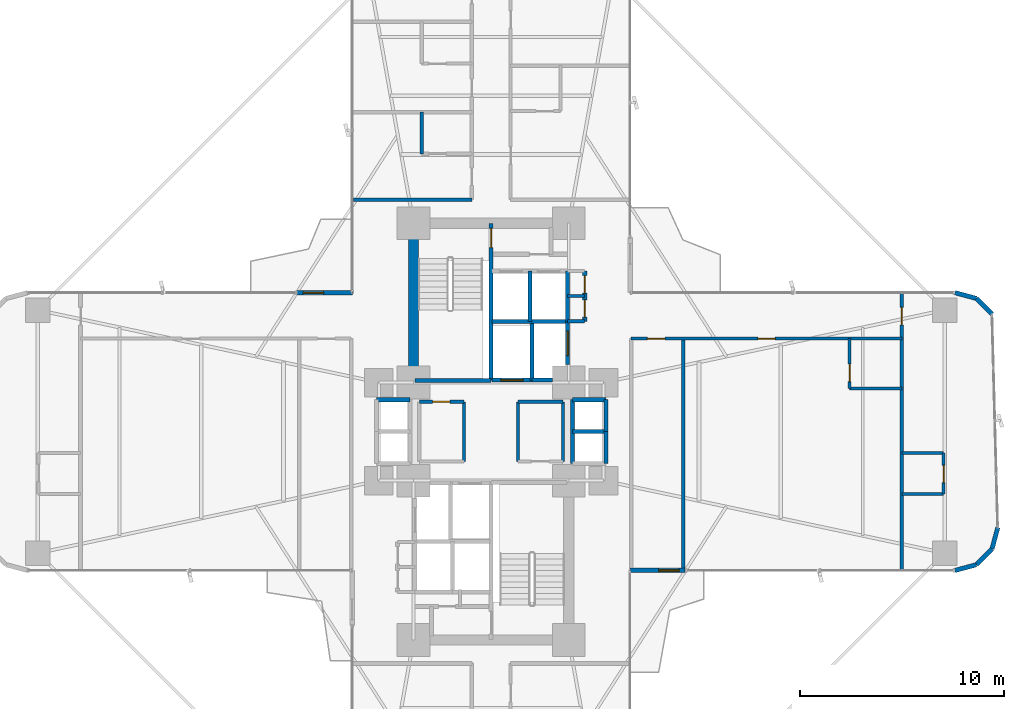
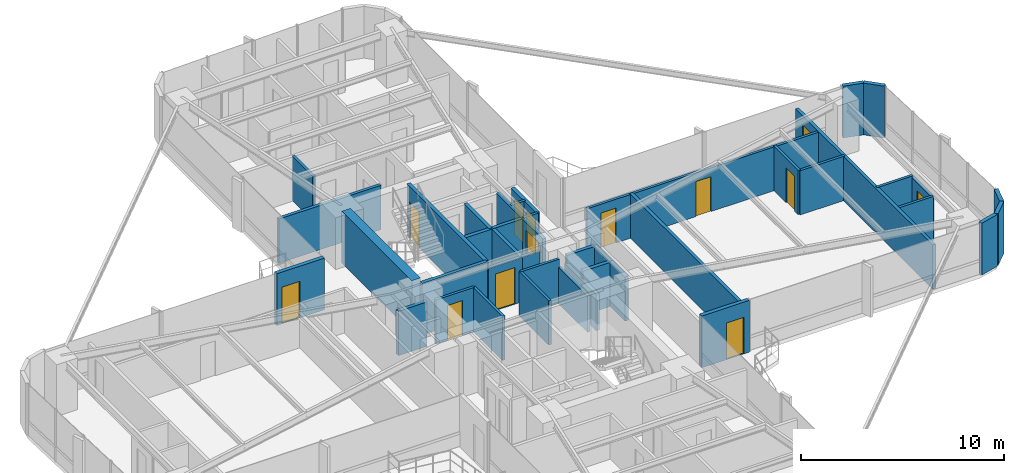
# One storey, part 23 of 26: 41 walls, 13 doors, 13 openings.
"""IFC4 building model written with IfcOpenShell, lengths in metres."""

from ifc_helpers import new_model, si_unit, direction, frame, frame_2d, origin, origin_2d, place, context, subcontext, project, spatial, rectangle, extrude, source, transform, mapped, material, layer, layer_set, type_object, element, fill, save


model = new_model("IFC4")

# Units and contexts
model_context = context("Model", 3, precision=1e-05, world=origin(), true_north=direction((0.0, 1.0)))
body_context = subcontext(model_context, "Body", "Model", "MODEL_VIEW")
ifc_project = project(units=[si_unit("LENGTHUNIT", "METRE"), si_unit("AREAUNIT", "SQUARE_METRE"), si_unit("VOLUMEUNIT", "CUBIC_METRE"), si_unit("PLANEANGLEUNIT", "RADIAN"), si_unit("MASSUNIT", "GRAM", prefix="KILO")], contexts=[model_context])

# Site, building, storey
site_placement = place(None, origin())
site = spatial("IfcSite", under=ifc_project, at=site_placement, CompositionType="ELEMENT")
building_placement = place(site_placement, origin())
building = spatial("IfcBuilding", under=site, at=building_placement, Name="Sahyath Konkavel Grand Hotel", CompositionType="ELEMENT")
storey_placement = place(building_placement, frame((0.0, 0.0, 61.10009765625)))
storey = spatial("IfcBuildingStorey", under=building, at=storey_placement, Name="L16", CompositionType="ELEMENT", Elevation=61.10009765625)

# Wall
ifc_material_1 = material(Name="Concrete C70/85", Category="concrete")
ifc_layer_1 = layer(ifc_material_1, 0.5)
ifc_layer_set_1 = layer_set([ifc_layer_1], Name="Concrete C70/85")
wall_type_1 = type_object("IfcWallType", Name="CWALL-500", PredefinedType="SHEAR", material=ifc_layer_set_1)
wall_1_placement = place(storey_placement, frame((-3.800048828125, 2.85009765625, 0.0), z_axis=(0.0, 0.0, 1.0), x_axis=(0.0, 1.0, 0.0)))
element("IfcWall", 1, at=wall_1_placement, inside=storey, type_object=wall_type_1, Name="L16 North Core Shear Wall W", PredefinedType="SHEAR", context=body_context, shape_type="SweptSolid", body=[
    extrude(rectangle(XDim=6.89990234375, YDim=0.5, at=frame_2d((3.449951171875, 0.0))), origin(), (0.0, 0.0, 1.0), 3.10986328125),
])

# Wall, opening, door
ifc_material_2 = material(Name="Warm Buff Sandstone Insulated Concrete C40/50", Category="masonry")
ifc_layer_2 = layer(ifc_material_2, 0.219970703125)
ifc_layer_set_2 = layer_set([ifc_layer_2], Name="Warm Buff Sandstone Insulated Concrete C40/50")
wall_type_2 = type_object("IfcWallType", Name="WLL-BALC-THRESH", PredefinedType="STANDARD", material=ifc_layer_set_2)
wall_2_placement = place(storey_placement, frame((6.800048828125, -6.800048828125, 0.0), z_axis=(0.0, 0.0, 1.0), x_axis=(1.0, 0.0, 0.0)))
wall_2 = element("IfcWall", 2, at=wall_2_placement, inside=storey, type_object=wall_type_2, Name="L16 Winter-Garden Threshold Wall 0", PredefinedType="STANDARD", context=body_context, shape_type="SweptSolid", body=[
    extrude(rectangle(XDim=2.699951171875, YDim=0.219970703125, at=frame_2d((1.35009765625, 0.0))), origin(), (0.0, 0.0, 1.0), 3.10986328125),
])
opening_1_placement = place(wall_2_placement, frame((1.39990234375, 0.0, 0.0)))
opening_1 = element("IfcOpeningElement", 3, at=opening_1_placement, cuts=wall_2, Name="Opening D-TR1", PredefinedType="OPENING", context=body_context, shape_type="SweptSolid", body=[
    extrude(rectangle(XDim=1.0, YDim=2.199951171875, at=frame_2d((0.5, 1.10009765625))), frame((0.0, 0.1201171875, 0.0), z_axis=(0.0, -1.0, 0.0), x_axis=(1.0, 0.0, 0.0)), (0.0, 0.0, 1.0), 0.239990234375),
])
ifc_material_3 = material(Name="Anodised Bronze Aluminium & Low-E Glazing", Category="aluminium")
door_type_1 = type_object("IfcDoorType", Name="DR-TERRACE-1000", OperationType="NOTDEFINED", PredefinedType="DOOR", material=ifc_material_3)
shared_shape_1 = source(origin(), body_context, "Body", "SweptSolid", [
    extrude(rectangle(XDim=1.0, YDim=0.050048828125, at=origin_2d()), origin(), (0.0, 0.0, 1.0), 2.199951171875),
])
door_1_placement = place(opening_1_placement, frame((0.5, 0.0, 0.0)))
door_1 = element("IfcDoor", 4, at=door_1_placement, inside=storey, type_object=door_type_1, Name="L16 Winter-Garden Terrace Door 0", OperationType="SINGLE_SWING_LEFT", OverallHeight=2.199951171875, OverallWidth=1.0, PredefinedType="DOOR", context=body_context, shape_type="MappedRepresentation", body=[
    mapped(shared_shape_1, transform((0.0, 0.0, 0.0), scale=1.0)),
])
fill(opening_1, door_1)

# Walls
for number, where, z_axis, x_axis, name in (
    (5, (22.699951171875, -6.800048828125, 0.0), (0.0, 0.0, 1.0), (0.965951058412, 0.25872485917, 0.0), "L16 Rounded Corner Sandstone Pier 1"),
    (6, (23.75, -6.518798828125, 0.0), (0.0, 0.0, 1.0), (0.707106781187, 0.707106781187, 0.0), "L16 Rounded Corner Sandstone Pier 2"),
    (7, (24.518798828125, -5.75, 0.0), (0.0, 0.0, 1.0), (0.25872485917, 0.965951058412, 0.0), "L16 Rounded Corner Sandstone Pier 3"),
    (8, (24.518798828125, 5.75, 0.0), (0.0, 0.0, 1.0), (-0.707106781187, 0.707106781187, 0.0), "L16 Rounded Corner Sandstone Pier 5"),
    (9, (23.75, 6.518798828125, 0.0), (0.0, 0.0, 1.0), (-0.965951058412, 0.25872485917, 0.0), "L16 Rounded Corner Sandstone Pier 6"),
):
    element("IfcWall", number, at=place(storey_placement, frame(where, z_axis=z_axis, x_axis=x_axis)), inside=storey, type_object=wall_type_2, Name=name, PredefinedType="STANDARD", context=body_context, shape_type="SweptSolid", body=[
        extrude(rectangle(XDim=1.087158203125, YDim=0.219970703125, at=frame_2d((0.54345703125, 0.0))), origin(), (0.0, 0.0, 1.0), 3.10986328125),
    ])

# Wall, opening, door
wall_3_placement = place(storey_placement, frame((-6.800048828125, 6.800048828125, 0.0), z_axis=(0.0, 0.0, 1.0), x_axis=(-1.0, 0.0, 0.0)))
wall_3 = element("IfcWall", 10, at=wall_3_placement, inside=storey, type_object=wall_type_2, Name="L16 Winter-Garden Threshold Wall 16", PredefinedType="STANDARD", context=body_context, shape_type="SweptSolid", body=[
    extrude(rectangle(XDim=2.699951171875, YDim=0.219970703125, at=frame_2d((1.35009765625, 0.0))), origin(), (0.0, 0.0, 1.0), 3.10986328125),
])
opening_2_placement = place(wall_3_placement, frame((1.39990234375, 0.0, 0.0)))
opening_2 = element("IfcOpeningElement", 11, at=opening_2_placement, cuts=wall_3, Name="Opening D-TR1", PredefinedType="OPENING", context=body_context, shape_type="SweptSolid", body=[
    extrude(rectangle(XDim=1.0, YDim=2.199951171875, at=frame_2d((0.5, 1.10009765625))), frame((0.0, 0.1201171875, 0.0), z_axis=(0.0, -1.0, 0.0), x_axis=(1.0, 0.0, 0.0)), (0.0, 0.0, 1.0), 0.239990234375),
])
door_2_placement = place(opening_2_placement, frame((0.5, 0.0, 0.0)))
door_2 = element("IfcDoor", 12, at=door_2_placement, inside=storey, type_object=door_type_1, Name="L16 Winter-Garden Terrace Door 16", OperationType="SINGLE_SWING_LEFT", OverallHeight=2.199951171875, OverallWidth=1.0, PredefinedType="DOOR", context=body_context, shape_type="MappedRepresentation", body=[
    mapped(shared_shape_1, transform((0.0, 0.0, 0.0), scale=1.0)),
])
fill(opening_2, door_2)

ifc_material_4 = material(Name="Concrete C40/50", Category="concrete")
ifc_layer_3 = layer(ifc_material_4, 0.199951171875)
ifc_layer_set_3 = layer_set([ifc_layer_3], Name="Concrete C40/50")
wall_type_3 = type_object("IfcWallType", Name="WLL-CORE-200", PredefinedType="SOLIDWALL", material=ifc_layer_set_3)
wall_4_placement = place(storey_placement, frame((0.0, 2.5, 0.0), z_axis=(0.0, 0.0, 1.0), x_axis=(0.0, 1.0, 0.0)))
wall_4 = element("IfcWall", 13, at=wall_4_placement, inside=storey, type_object=wall_type_3, Name="L16 Stair ST-1 Shaft Wall E", PredefinedType="SOLIDWALL", context=body_context, shape_type="SweptSolid", body=[
    extrude(rectangle(XDim=7.679931640625, YDim=0.199951171875, at=frame_2d((3.83984375, 0.0))), origin(), (0.0, 0.0, 1.0), 3.10986328125),
])
opening_3_placement = place(wall_4_placement, frame((6.5, 0.0, 0.0)))
opening_3 = element("IfcOpeningElement", 14, at=opening_3_placement, cuts=wall_4, Name="Opening D-F12C", PredefinedType="OPENING", context=body_context, shape_type="SweptSolid", body=[
    extrude(rectangle(XDim=0.949951171875, YDim=2.14990234375, at=frame_2d((0.47509765625, 1.074951171875))), frame((0.0, 0.10986328125, 0.0), z_axis=(0.0, -1.0, 0.0), x_axis=(1.0, 0.0, 0.0)), (0.0, 0.0, 1.0), 0.219970703125),
])
ifc_material_5 = material(Name="Steel E350 Plant Fire Door", Category="steel")
door_type_2 = type_object("IfcDoorType", Name="DR-FD120-950", OperationType="NOTDEFINED", PredefinedType="DOOR", material=ifc_material_5)
shared_shape_2 = source(origin(), body_context, "Body", "SweptSolid", [
    extrude(rectangle(XDim=0.949951171875, YDim=0.050048828125, at=origin_2d()), origin(), (0.0, 0.0, 1.0), 2.14990234375),
])
door_3_placement = place(opening_3_placement, frame((0.47509765625, 0.0, 0.0)))
door_3 = element("IfcDoor", 15, at=door_3_placement, inside=storey, type_object=door_type_2, Name="L16 Stair ST-1 Fire Door", OperationType="SINGLE_SWING_RIGHT", OverallHeight=2.14990234375, OverallWidth=0.949951171875, PredefinedType="DOOR", context=body_context, shape_type="MappedRepresentation", body=[
    mapped(shared_shape_2, transform((0.0, 0.0, 0.0), scale=1.0)),
])
fill(opening_3, door_3)

# Walls
wall_5_placement = place(storey_placement, frame((-3.719970703125, 2.5, 0.0), z_axis=(0.0, 0.0, 1.0), x_axis=(1.0, 0.0, 0.0)))
element("IfcWall", 16, at=wall_5_placement, inside=storey, type_object=wall_type_3, Name="L16 Stair ST-1 Shaft Wall S", PredefinedType="SOLIDWALL", context=body_context, shape_type="SweptSolid", body=[
    extrude(rectangle(XDim=3.719970703125, YDim=0.199951171875, at=frame_2d((1.85986328125, 0.0))), origin(), (0.0, 0.0, 1.0), 3.10986328125),
])
wall_6_placement = place(storey_placement, frame((2.0, 2.5, 0.0), z_axis=(0.0, 0.0, 1.0), x_axis=(0.0, 1.0, 0.0)))
element("IfcWall", 17, at=wall_6_placement, inside=storey, type_object=wall_type_3, Name="L16 Partition SH-FFL1-E", PredefinedType="SOLIDWALL", context=body_context, shape_type="SweptSolid", body=[
    extrude(rectangle(XDim=2.780029296875, YDim=0.199951171875, at=frame_2d((1.39013671875, 0.0))), origin(), (0.0, 0.0, 1.0), 2.659912109375),
])

# Wall, opening, door
wall_7_placement = place(storey_placement, frame((0.050048828125, 2.52001953125, 0.0), z_axis=(0.0, 0.0, 1.0), x_axis=(1.0, 0.0, 0.0)))
wall_7 = element("IfcWall", 18, at=wall_7_placement, inside=storey, type_object=wall_type_3, Name="L16 Partition SH-FFL1-S", PredefinedType="SOLIDWALL", context=body_context, shape_type="SweptSolid", body=[
    extrude(rectangle(XDim=1.949951171875, YDim=0.199951171875, at=frame_2d((0.97509765625, 0.0))), origin(), (0.0, 0.0, 1.0), 2.659912109375),
])
opening_4_placement = place(wall_7_placement, frame((0.419921875, 0.0, 0.0)))
opening_4 = element("IfcOpeningElement", 19, at=opening_4_placement, cuts=wall_7, Name="Opening LD-11", PredefinedType="OPENING", context=body_context, shape_type="SweptSolid", body=[
    extrude(rectangle(XDim=1.10009765625, YDim=2.199951171875, at=frame_2d((0.550048828125, 1.10009765625))), frame((0.0, 0.10986328125, 0.0), z_axis=(0.0, -1.0, 0.0), x_axis=(1.0, 0.0, 0.0)), (0.0, 0.0, 1.0), 0.219970703125),
])
ifc_material_6 = material(Name="Bronze Lift Landing Door 1100")
door_type_3 = type_object("IfcDoorType", Name="DR-LIFT-1100", OperationType="DOUBLE_DOOR_SLIDING", PredefinedType="DOOR", material=ifc_material_6)
shared_shape_3 = source(origin(), body_context, "Body", "SweptSolid", [
    extrude(rectangle(XDim=1.10009765625, YDim=0.050048828125, at=origin_2d()), origin(), (0.0, 0.0, 1.0), 2.199951171875),
])
door_4_placement = place(opening_4_placement, frame((0.550048828125, 0.0, 0.0)))
door_4 = element("IfcDoor", 20, at=door_4_placement, inside=storey, type_object=door_type_3, Name="L16 Lift FFL-1 Landing Door", OperationType="DOUBLE_DOOR_SLIDING", OverallHeight=2.199951171875, OverallWidth=1.10009765625, PredefinedType="DOOR", context=body_context, shape_type="MappedRepresentation", body=[
    mapped(shared_shape_3, transform((0.0, 0.0, 0.0), scale=1.0)),
])
fill(opening_4, door_4)

# Wall
wall_8_placement = place(storey_placement, frame((2.0, 2.52001953125, 0.0), z_axis=(0.0, 0.0, 1.0), x_axis=(1.0, 0.0, 0.0)))
element("IfcWall", 21, at=wall_8_placement, inside=storey, type_object=wall_type_3, Name="L16 Partition SH-SVL1-S", PredefinedType="SOLIDWALL", context=body_context, shape_type="SweptSolid", body=[
    extrude(rectangle(XDim=1.0, YDim=0.199951171875, at=frame_2d((0.5, 0.0))), origin(), (0.0, 0.0, 1.0), 2.659912109375),
])

# Wall, opening, door
wall_9_placement = place(storey_placement, frame((3.739990234375, 3.280029296875, 0.0), z_axis=(0.0, 0.0, 1.0), x_axis=(0.0, 1.0, 0.0)))
wall_9 = element("IfcWall", 22, at=wall_9_placement, inside=storey, type_object=wall_type_3, Name="L16 Partition SH-SVL1-E", PredefinedType="SOLIDWALL", context=body_context, shape_type="SweptSolid", body=[
    extrude(rectangle(XDim=2.080078125, YDim=0.199951171875, at=frame_2d((1.0400390625, 0.0))), origin(), (0.0, 0.0, 1.0), 2.659912109375),
])
opening_5_placement = place(wall_9_placement, frame((0.43994140625, 0.0, 0.0)))
opening_5 = element("IfcOpeningElement", 23, at=opening_5_placement, cuts=wall_9, Name="Opening LD-12", PredefinedType="OPENING", context=body_context, shape_type="SweptSolid", body=[
    extrude(rectangle(XDim=1.199951171875, YDim=2.199951171875, at=frame_2d((0.60009765625, 1.10009765625))), frame((0.0, 0.10986328125, 0.0), z_axis=(0.0, -1.0, 0.0), x_axis=(1.0, 0.0, 0.0)), (0.0, 0.0, 1.0), 0.219970703125),
])
ifc_material_7 = material(Name="Stainless Steel Lift Landing Door 1200", Category="steel")
door_type_4 = type_object("IfcDoorType", Name="DR-LIFT-1200", OperationType="DOUBLE_DOOR_SLIDING", PredefinedType="DOOR", material=ifc_material_7)
shared_shape_4 = source(origin(), body_context, "Body", "SweptSolid", [
    extrude(rectangle(XDim=1.199951171875, YDim=0.050048828125, at=origin_2d()), origin(), (0.0, 0.0, 1.0), 2.199951171875),
])
door_5_placement = place(opening_5_placement, frame((0.60009765625, 0.0, 0.0)))
door_5 = element("IfcDoor", 24, at=door_5_placement, inside=storey, type_object=door_type_4, Name="L16 Service Lift SVL-1 Landing Door", OperationType="DOUBLE_DOOR_SLIDING", OverallHeight=2.199951171875, OverallWidth=1.199951171875, PredefinedType="DOOR", context=body_context, shape_type="MappedRepresentation", body=[
    mapped(shared_shape_4, transform((0.0, 0.0, 0.0), scale=1.0)),
])
fill(opening_5, door_5)

# Walls
wall_10_placement = place(storey_placement, frame((0.050048828125, 5.3798828125, 0.0), z_axis=(0.0, 0.0, 1.0), x_axis=(1.0, 0.0, 0.0)))
element("IfcWall", 25, at=wall_10_placement, inside=storey, type_object=wall_type_3, Name="L16 Partition SH-PL12-S", PredefinedType="SOLIDWALL", context=body_context, shape_type="SweptSolid", body=[
    extrude(rectangle(XDim=3.68994140625, YDim=0.199951171875, at=frame_2d((1.844970703125, 0.0))), origin(), (0.0, 0.0, 1.0), 2.659912109375),
])
for number, where, z_axis, x_axis, name in (
    (26, (1.89990234375, 5.3798828125, 0.0), (0.0, 0.0, 1.0), (0.0, 1.0, 0.0), "L16 Partition SH-PL12-M"),
    (27, (3.739990234375, 5.3798828125, 0.0), (0.0, 0.0, 1.0), (0.0, 1.0, 0.0), "L16 Partition SH-PL2-E"),
):
    element("IfcWall", number, at=place(storey_placement, frame(where, z_axis=z_axis, x_axis=x_axis)), inside=storey, type_object=wall_type_3, Name=name, PredefinedType="SOLIDWALL", context=body_context, shape_type="SweptSolid", body=[
        extrude(rectangle(XDim=2.480224609375, YDim=0.199951171875, at=frame_2d((1.240234375, 0.0))), origin(), (0.0, 0.0, 1.0), 2.659912109375),
    ])
wall_11_placement = place(storey_placement, frame((3.97998046875, -1.56005859375, 0.0), z_axis=(0.0, 0.0, 1.0), x_axis=(0.0, 1.0, 0.0)))
element("IfcWall", 28, at=wall_11_placement, inside=storey, type_object=wall_type_3, Name="L16 Partition SH-PL56-W", PredefinedType="SOLIDWALL", context=body_context, shape_type="SweptSolid", body=[
    extrude(rectangle(XDim=3.1201171875, YDim=0.199951171875, at=frame_2d((1.56005859375, 0.0))), origin(), (0.0, 0.0, 1.0), 2.179931640625),
])
for number, where, z_axis, x_axis, name in (
    (29, (3.97998046875, 1.56005859375, 0.0), (0.0, 0.0, 1.0), (1.0, 0.0, 0.0), "L16 Partition SH-PL56-N"),
    (30, (3.97998046875, 0.0, 0.0), (0.0, 0.0, 1.0), (1.0, 0.0, 0.0), "L16 Partition SH-PL56-M"),
):
    element("IfcWall", number, at=place(storey_placement, frame(where, z_axis=z_axis, x_axis=x_axis)), inside=storey, type_object=wall_type_3, Name=name, PredefinedType="SOLIDWALL", context=body_context, shape_type="SweptSolid", body=[
        extrude(rectangle(XDim=1.64013671875, YDim=0.199951171875, at=frame_2d((0.820068359375, 0.0))), origin(), (0.0, 0.0, 1.0), 2.659912109375),
    ])
for number, where, z_axis, x_axis, name in (
    (31, (5.6201171875, 0.0, 0.0), (0.0, 0.0, 1.0), (0.0, 1.0, 0.0), "L16 Partition SH-PL5-E"),
    (32, (5.6201171875, -1.56005859375, 0.0), (0.0, 0.0, 1.0), (0.0, 1.0, 0.0), "L16 Partition SH-PL6-E"),
):
    element("IfcWall", number, at=place(storey_placement, frame(where, z_axis=z_axis, x_axis=x_axis)), inside=storey, type_object=wall_type_3, Name=name, PredefinedType="SOLIDWALL", context=body_context, shape_type="SweptSolid", body=[
        extrude(rectangle(XDim=1.56005859375, YDim=0.199951171875, at=frame_2d((0.780029296875, 0.0))), origin(), (0.0, 0.0, 1.0), 2.659912109375),
    ])
wall_12_placement = place(storey_placement, frame((-5.6201171875, 1.56005859375, 0.0), z_axis=(0.0, 0.0, 1.0), x_axis=(1.0, 0.0, 0.0)))
element("IfcWall", 33, at=wall_12_placement, inside=storey, type_object=wall_type_3, Name="L16 Partition SH-SL12-N", PredefinedType="SOLIDWALL", context=body_context, shape_type="SweptSolid", body=[
    extrude(rectangle(XDim=1.64013671875, YDim=0.199951171875, at=frame_2d((0.820068359375, 0.0))), origin(), (0.0, 0.0, 1.0), 2.659912109375),
])

# Wall, openings, doors
wall_13_placement = place(storey_placement, frame((4.580078125, 5.39990234375, 0.0), z_axis=(0.0, 0.0, 1.0), x_axis=(0.0, 1.0, 0.0)))
wall_13 = element("IfcWall", 34, at=wall_13_placement, inside=storey, type_object=wall_type_3, Name="L16 Partition NC-FLK-E", PredefinedType="SOLIDWALL", context=body_context, shape_type="SweptSolid", body=[
    extrude(rectangle(XDim=2.460205078125, YDim=0.199951171875, at=frame_2d((1.22998046875, 0.0))), origin(), (0.0, 0.0, 1.0), 2.659912109375),
])
opening_6_placement = place(wall_13_placement, frame((0.199951171875, 0.0, 0.0)))
opening_6 = element("IfcOpeningElement", 35, at=opening_6_placement, cuts=wall_13, Name="Opening D-F06D", PredefinedType="OPENING", context=body_context, shape_type="SweptSolid", body=[
    extrude(rectangle(XDim=0.85009765625, YDim=2.10009765625, at=frame_2d((0.425048828125, 1.050048828125))), frame((0.0, 0.10986328125, 0.0), z_axis=(0.0, -1.0, 0.0), x_axis=(1.0, 0.0, 0.0)), (0.0, 0.0, 1.0), 0.219970703125),
])
opening_7_placement = place(wall_13_placement, frame((1.3798828125, 0.0, 0.0)))
opening_7 = element("IfcOpeningElement", 36, at=opening_7_placement, cuts=wall_13, Name="Opening D-F06D", PredefinedType="OPENING", context=body_context, shape_type="SweptSolid", body=[
    extrude(rectangle(XDim=0.85009765625, YDim=2.10009765625, at=frame_2d((0.425048828125, 1.050048828125))), frame((0.0, 0.10986328125, 0.0), z_axis=(0.0, -1.0, 0.0), x_axis=(1.0, 0.0, 0.0)), (0.0, 0.0, 1.0), 0.219970703125),
])
ifc_material_8 = material(Name="Fire-Rated Shaft Access Door")
door_type_5 = type_object("IfcDoorType", Name="DR-FD60-850", OperationType="NOTDEFINED", PredefinedType="DOOR", material=ifc_material_8)
shared_shape_5 = source(origin(), body_context, "Body", "SweptSolid", [
    extrude(rectangle(XDim=0.85009765625, YDim=0.050048828125, at=origin_2d()), origin(), (0.0, 0.0, 1.0), 2.10009765625),
])
door_6_placement = place(opening_6_placement, frame((0.425048828125, 0.0, 0.0)))
door_6 = element("IfcDoor", 37, at=door_6_placement, inside=storey, type_object=door_type_5, Name="L16 Door NC-FLK1-D", OperationType="SINGLE_SWING_LEFT", OverallHeight=2.10009765625, OverallWidth=0.85009765625, PredefinedType="DOOR", context=body_context, shape_type="MappedRepresentation", body=[
    mapped(shared_shape_5, transform((0.0, 0.0, 0.0), scale=1.0)),
])
fill(opening_6, door_6)
door_7_placement = place(opening_7_placement, frame((0.425048828125, 0.0, 0.0)))
door_7 = element("IfcDoor", 38, at=door_7_placement, inside=storey, type_object=door_type_5, Name="L16 Door NC-FLK2-D", OperationType="SINGLE_SWING_RIGHT", OverallHeight=2.10009765625, OverallWidth=0.85009765625, PredefinedType="DOOR", context=body_context, shape_type="MappedRepresentation", body=[
    mapped(shared_shape_5, transform((0.0, 0.0, 0.0), scale=1.0)),
])
fill(opening_7, door_7)

# Wall
ifc_material_9 = material(Name="Twin-Stud Acoustic Gypsum Plasterboard Partition")
ifc_layer_4 = layer(ifc_material_9, 0.179931640625)
ifc_layer_set_4 = layer_set([ifc_layer_4], Name="Twin-Stud Acoustic Gypsum Plasterboard Partition")
wall_type_4 = type_object("IfcWallType", Name="WLL-DEMISE-180", PredefinedType="PARTITIONING", material=ifc_layer_set_4)
wall_14_placement = place(storey_placement, frame((9.39990234375, 4.550048828125, 0.0), z_axis=(0.0, 0.0, 1.0), x_axis=(0.0, -1.0, 0.0)))
element("IfcWall", 39, at=wall_14_placement, inside=storey, type_object=wall_type_4, Name="L16 Partition E-EHK-DEM", PredefinedType="PARTITIONING", context=body_context, shape_type="SweptSolid", body=[
    extrude(rectangle(XDim=11.300048828125, YDim=0.179931640625, at=frame_2d((5.64990234375, 0.0))), origin(), (0.0, 0.0, 1.0), 2.659912109375),
])

# Wall, opening, door
wall_15_placement = place(storey_placement, frame((20.10009765625, -6.75, 0.0), z_axis=(0.0, 0.0, 1.0), x_axis=(0.0, 1.0, 0.0)))
wall_15 = element("IfcWall", 40, at=wall_15_placement, inside=storey, type_object=wall_type_4, Name="L16 Partition E-ETIP-END", PredefinedType="PARTITIONING", context=body_context, shape_type="SweptSolid", body=[
    extrude(rectangle(XDim=13.5, YDim=0.179931640625, at=frame_2d((6.75, 0.0))), origin(), (0.0, 0.0, 1.0), 2.659912109375),
])
opening_8_placement = place(wall_15_placement, frame((11.97509765625, 0.0, 0.0)))
opening_8 = element("IfcOpeningElement", 41, at=opening_8_placement, cuts=wall_15, Name="Opening D-F06D", PredefinedType="OPENING", context=body_context, shape_type="SweptSolid", body=[
    extrude(rectangle(XDim=0.85009765625, YDim=2.10009765625, at=frame_2d((0.425048828125, 1.050048828125))), frame((0.0, 0.10009765625, 0.0), z_axis=(0.0, -1.0, 0.0), x_axis=(1.0, 0.0, 0.0)), (0.0, 0.0, 1.0), 0.199951171875),
])
door_8_placement = place(opening_8_placement, frame((0.425048828125, 0.0, 0.0)))
door_8 = element("IfcDoor", 42, at=door_8_placement, inside=storey, type_object=door_type_5, Name="L16 Door E-ETIP-ED", OperationType="SINGLE_SWING_LEFT", OverallHeight=2.10009765625, OverallWidth=0.85009765625, PredefinedType="DOOR", context=body_context, shape_type="MappedRepresentation", body=[
    mapped(shared_shape_5, transform((0.0, 0.0, 0.0), scale=1.0)),
])
fill(opening_8, door_8)

# Walls
wall_16_placement = place(storey_placement, frame((-0.949951171875, 11.35009765625, 0.0), z_axis=(0.0, 0.0, 1.0), x_axis=(-1.0, 0.0, 0.0)))
element("IfcWall", 43, at=wall_16_placement, inside=storey, type_object=wall_type_4, Name="L16 Partition N-INL", PredefinedType="PARTITIONING", context=body_context, shape_type="SweptSolid", body=[
    extrude(rectangle(XDim=5.800048828125, YDim=0.179931640625, at=frame_2d((2.89990234375, 0.0))), origin(), (0.0, 0.0, 1.0), 2.659912109375),
])
ifc_material_10 = material(Name="Fire-Rated Gypsum Plasterboard Partition")
ifc_layer_5 = layer(ifc_material_10, 0.14990234375)
ifc_layer_set_5 = layer_set([ifc_layer_5], Name="Fire-Rated Gypsum Plasterboard Partition")
wall_type_5 = type_object("IfcWallType", Name="WLL-PART-150", PredefinedType="PARTITIONING", material=ifc_layer_set_5)
for number, where, z_axis, x_axis, name in (
    (44, (3.739990234375, 5.39990234375, 0.0), (0.0, 0.0, 1.0), (1.0, 0.0, 0.0), "L16 Partition NC-FLK-S"),
    (45, (3.739990234375, 6.6298828125, 0.0), (0.0, 0.0, 1.0), (1.0, 0.0, 0.0), "L16 Partition NC-FLK-M"),
):
    element("IfcWall", number, at=place(storey_placement, frame(where, z_axis=z_axis, x_axis=x_axis)), inside=storey, type_object=wall_type_5, Name=name, PredefinedType="PARTITIONING", context=body_context, shape_type="SweptSolid", body=[
        extrude(rectangle(XDim=0.840087890625, YDim=0.14990234375, at=frame_2d((0.419921875, 0.0))), origin(), (0.0, 0.0, 1.0), 2.659912109375),
    ])
wall_17_placement = place(storey_placement, frame((-1.320068359375, -1.4599609375, 0.0), z_axis=(0.0, 0.0, 1.0), x_axis=(0.0, 1.0, 0.0)))
element("IfcWall", 46, at=wall_17_placement, inside=storey, type_object=wall_type_5, Name="L16 Partition CC-1WI", PredefinedType="PARTITIONING", context=body_context, shape_type="SweptSolid", body=[
    extrude(rectangle(XDim=2.919921875, YDim=0.14990234375, at=frame_2d((1.4599609375, 0.0))), origin(), (0.0, 0.0, 1.0), 2.659912109375),
])

# Wall, opening, door
wall_18_placement = place(storey_placement, frame((-3.52001953125, 1.4599609375, 0.0), z_axis=(0.0, 0.0, 1.0), x_axis=(1.0, 0.0, 0.0)))
wall_18 = element("IfcWall", 47, at=wall_18_placement, inside=storey, type_object=wall_type_5, Name="L16 Partition CC-1WN", PredefinedType="PARTITIONING", context=body_context, shape_type="SweptSolid", body=[
    extrude(rectangle(XDim=2.199951171875, YDim=0.14990234375, at=frame_2d((1.10009765625, 0.0))), origin(), (0.0, 0.0, 1.0), 2.659912109375),
])
opening_9_placement = place(wall_18_placement, frame((0.64990234375, 0.0, 0.0)))
opening_9 = element("IfcOpeningElement", 48, at=opening_9_placement, cuts=wall_18, Name="Opening D-F06D", PredefinedType="OPENING", context=body_context, shape_type="SweptSolid", body=[
    extrude(rectangle(XDim=0.85009765625, YDim=2.10009765625, at=frame_2d((0.425048828125, 1.050048828125))), frame((0.0, 0.0849609375, 0.0), z_axis=(0.0, -1.0, 0.0), x_axis=(1.0, 0.0, 0.0)), (0.0, 0.0, 1.0), 0.169921875),
])
door_9_placement = place(opening_9_placement, frame((0.425048828125, 0.0, 0.0)))
door_9 = element("IfcDoor", 49, at=door_9_placement, inside=storey, type_object=door_type_5, Name="L16 Door CC-D1W", OperationType="SINGLE_SWING_LEFT", OverallHeight=2.10009765625, OverallWidth=0.85009765625, PredefinedType="DOOR", context=body_context, shape_type="MappedRepresentation", body=[
    mapped(shared_shape_5, transform((0.0, 0.0, 0.0), scale=1.0)),
])
fill(opening_9, door_9)

# Walls
wall_19_placement = place(storey_placement, frame((1.320068359375, -1.4599609375, 0.0), z_axis=(0.0, 0.0, 1.0), x_axis=(0.0, 1.0, 0.0)))
element("IfcWall", 50, at=wall_19_placement, inside=storey, type_object=wall_type_5, Name="L16 Partition CC-1EI", PredefinedType="PARTITIONING", context=body_context, shape_type="SweptSolid", body=[
    extrude(rectangle(XDim=2.919921875, YDim=0.14990234375, at=frame_2d((1.4599609375, 0.0))), origin(), (0.0, 0.0, 1.0), 2.659912109375),
])
wall_20_placement = place(storey_placement, frame((3.52001953125, -1.4599609375, 0.0), z_axis=(0.0, 0.0, 1.0), x_axis=(0.0, 1.0, 0.0)))
element("IfcWall", 51, at=wall_20_placement, inside=storey, type_object=wall_type_5, Name="L16 Partition CC-1EO", PredefinedType="PARTITIONING", context=body_context, shape_type="SweptSolid", body=[
    extrude(rectangle(XDim=2.919921875, YDim=0.14990234375, at=frame_2d((1.4599609375, 0.0))), origin(), (0.0, 0.0, 1.0), 2.179931640625),
])
wall_21_placement = place(storey_placement, frame((1.320068359375, 1.4599609375, 0.0), z_axis=(0.0, 0.0, 1.0), x_axis=(1.0, 0.0, 0.0)))
element("IfcWall", 52, at=wall_21_placement, inside=storey, type_object=wall_type_5, Name="L16 Partition CC-1EN", PredefinedType="PARTITIONING", context=body_context, shape_type="SweptSolid", body=[
    extrude(rectangle(XDim=2.199951171875, YDim=0.14990234375, at=frame_2d((1.10009765625, 0.0))), origin(), (0.0, 0.0, 1.0), 2.659912109375),
])

# Wall, openings, doors
wall_22_placement = place(storey_placement, frame((6.85009765625, 4.550048828125, 0.0), z_axis=(0.0, 0.0, 1.0), x_axis=(1.0, 0.0, 0.0)))
wall_22 = element("IfcWall", 53, at=wall_22_placement, inside=storey, type_object=wall_type_5, Name="L16 Partition E-G5W", PredefinedType="PARTITIONING", context=body_context, shape_type="SweptSolid", body=[
    extrude(rectangle(XDim=13.25, YDim=0.14990234375, at=frame_2d((6.625, 0.0))), origin(), (0.0, 0.0, 1.0), 2.6298828125),
])
opening_10_placement = place(wall_22_placement, frame((0.800048828125, 0.0, 0.0)))
opening_10 = element("IfcOpeningElement", 54, at=opening_10_placement, cuts=wall_22, Name="Opening D-F06D", PredefinedType="OPENING", context=body_context, shape_type="SweptSolid", body=[
    extrude(rectangle(XDim=0.85009765625, YDim=2.10009765625, at=frame_2d((0.425048828125, 1.050048828125))), frame((0.0, 0.0849609375, 0.0), z_axis=(0.0, -1.0, 0.0), x_axis=(1.0, 0.0, 0.0)), (0.0, 0.0, 1.0), 0.169921875),
])
opening_11_placement = place(wall_22_placement, frame((6.199951171875, 0.0, 0.0)))
opening_11 = element("IfcOpeningElement", 55, at=opening_11_placement, cuts=wall_22, Name="Opening D-F06D", PredefinedType="OPENING", context=body_context, shape_type="SweptSolid", body=[
    extrude(rectangle(XDim=0.85009765625, YDim=2.10009765625, at=frame_2d((0.425048828125, 1.050048828125))), frame((0.0, 0.0849609375, 0.0), z_axis=(0.0, -1.0, 0.0), x_axis=(1.0, 0.0, 0.0)), (0.0, 0.0, 1.0), 0.169921875),
])
door_10_placement = place(opening_10_placement, frame((0.425048828125, 0.0, 0.0)))
door_10 = element("IfcDoor", 56, at=door_10_placement, inside=storey, type_object=door_type_5, Name="L16 Door E-EHK-D", OperationType="SINGLE_SWING_LEFT", OverallHeight=2.10009765625, OverallWidth=0.85009765625, PredefinedType="DOOR", context=body_context, shape_type="MappedRepresentation", body=[
    mapped(shared_shape_5, transform((0.0, 0.0, 0.0), scale=1.0)),
])
fill(opening_10, door_10)
door_11_placement = place(opening_11_placement, frame((0.425048828125, 0.0, 0.0)))
door_11 = element("IfcDoor", 57, at=door_11_placement, inside=storey, type_object=door_type_5, Name="L16 Door E-ED1-ED", OperationType="SINGLE_SWING_LEFT", OverallHeight=2.10009765625, OverallWidth=0.85009765625, PredefinedType="DOOR", context=body_context, shape_type="MappedRepresentation", body=[
    mapped(shared_shape_5, transform((0.0, 0.0, 0.0), scale=1.0)),
])
fill(opening_11, door_11)

# Wall, opening, door
wall_23_placement = place(storey_placement, frame((17.550048828125, 4.550048828125, 0.0), z_axis=(0.0, 0.0, 1.0), x_axis=(0.0, -1.0, 0.0)))
wall_23 = element("IfcWall", 58, at=wall_23_placement, inside=storey, type_object=wall_type_5, Name="L16 Partition E-ED1-BS", PredefinedType="PARTITIONING", context=body_context, shape_type="SweptSolid", body=[
    extrude(rectangle(XDim=2.449951171875, YDim=0.14990234375, at=frame_2d((1.22509765625, 0.0))), origin(), (0.0, 0.0, 1.0), 2.659912109375),
])
opening_12_placement = place(wall_23_placement, frame((1.25, 0.0, 0.0)))
opening_12 = element("IfcOpeningElement", 59, at=opening_12_placement, cuts=wall_23, Name="Opening D-BT85", PredefinedType="OPENING", context=body_context, shape_type="SweptSolid", body=[
    extrude(rectangle(XDim=0.85009765625, YDim=2.10009765625, at=frame_2d((0.425048828125, 1.050048828125))), frame((0.0, 0.0849609375, 0.0), z_axis=(0.0, -1.0, 0.0), x_axis=(1.0, 0.0, 0.0)), (0.0, 0.0, 1.0), 0.169921875),
])
ifc_material_11 = material(Name="Moisture-Resistant Teak Bathroom Door")
door_type_6 = type_object("IfcDoorType", Name="DR-BATH-850", OperationType="NOTDEFINED", PredefinedType="DOOR", material=ifc_material_11)
door_12_placement = place(opening_12_placement, frame((0.425048828125, 0.0, 0.0)))
door_12 = element("IfcDoor", 60, at=door_12_placement, inside=storey, type_object=door_type_6, Name="L16 Door E-ED1-BD", OperationType="SINGLE_SWING_RIGHT", OverallHeight=2.10009765625, OverallWidth=0.85009765625, PredefinedType="DOOR", context=body_context, shape_type="MappedRepresentation", body=[
    mapped(shared_shape_5, transform((0.0, 0.0, 0.0), scale=1.0)),
])
fill(opening_12, door_12)

# Walls
wall_24_placement = place(storey_placement, frame((17.550048828125, 2.10009765625, 0.0), z_axis=(0.0, 0.0, 1.0), x_axis=(1.0, 0.0, 0.0)))
element("IfcWall", 61, at=wall_24_placement, inside=storey, type_object=wall_type_5, Name="L16 Partition E-ED1-BF", PredefinedType="PARTITIONING", context=body_context, shape_type="SweptSolid", body=[
    extrude(rectangle(XDim=2.550048828125, YDim=0.14990234375, at=frame_2d((1.27490234375, 0.0))), origin(), (0.0, 0.0, 1.0), 2.659912109375),
])
wall_25_placement = place(storey_placement, frame((20.10009765625, -1.050048828125, 0.0), z_axis=(0.0, 0.0, 1.0), x_axis=(1.0, 0.0, 0.0)))
element("IfcWall", 62, at=wall_25_placement, inside=storey, type_object=wall_type_5, Name="L16 Partition E-ETIP-BN", PredefinedType="PARTITIONING", context=body_context, shape_type="SweptSolid", body=[
    extrude(rectangle(XDim=2.0498046875, YDim=0.14990234375, at=frame_2d((1.02490234375, 0.0))), origin(), (0.0, 0.0, 1.0), 2.659912109375),
])
wall_26_placement = place(storey_placement, frame((20.10009765625, -3.050048828125, 0.0), z_axis=(0.0, 0.0, 1.0), x_axis=(1.0, 0.0, 0.0)))
element("IfcWall", 63, at=wall_26_placement, inside=storey, type_object=wall_type_5, Name="L16 Partition E-ETIP-BS", PredefinedType="PARTITIONING", context=body_context, shape_type="SweptSolid", body=[
    extrude(rectangle(XDim=2.0498046875, YDim=0.14990234375, at=frame_2d((1.02490234375, 0.0))), origin(), (0.0, 0.0, 1.0), 2.6298828125),
])

# Wall, opening, door
wall_27_placement = place(storey_placement, frame((22.14990234375, -3.050048828125, 0.0), z_axis=(0.0, 0.0, 1.0), x_axis=(0.0, 1.0, 0.0)))
wall_27 = element("IfcWall", 64, at=wall_27_placement, inside=storey, type_object=wall_type_5, Name="L16 Partition E-ETIP-BE", PredefinedType="PARTITIONING", context=body_context, shape_type="SweptSolid", body=[
    extrude(rectangle(XDim=2.0, YDim=0.14990234375, at=frame_2d((1.0, 0.0))), origin(), (0.0, 0.0, 1.0), 2.579833984375),
])
opening_13_placement = place(wall_27_placement, frame((0.550048828125, 0.0, 0.0)))
opening_13 = element("IfcOpeningElement", 65, at=opening_13_placement, cuts=wall_27, Name="Opening D-BT85", PredefinedType="OPENING", context=body_context, shape_type="SweptSolid", body=[
    extrude(rectangle(XDim=0.85009765625, YDim=2.10009765625, at=frame_2d((0.425048828125, 1.050048828125))), frame((0.0, 0.0849609375, 0.0), z_axis=(0.0, -1.0, 0.0), x_axis=(1.0, 0.0, 0.0)), (0.0, 0.0, 1.0), 0.169921875),
])
door_13_placement = place(opening_13_placement, frame((0.425048828125, 0.0, 0.0)))
door_13 = element("IfcDoor", 66, at=door_13_placement, inside=storey, type_object=door_type_6, Name="L16 Door E-ETIP-BD", OperationType="SINGLE_SWING_RIGHT", OverallHeight=2.10009765625, OverallWidth=0.85009765625, PredefinedType="DOOR", context=body_context, shape_type="MappedRepresentation", body=[
    mapped(shared_shape_5, transform((0.0, 0.0, 0.0), scale=1.0)),
])
fill(opening_13, door_13)

# Wall
wall_28_placement = place(storey_placement, frame((-3.39990234375, 13.60009765625, 0.0), z_axis=(0.0, 0.0, 1.0), x_axis=(0.0, 1.0, 0.0)))
element("IfcWall", 67, at=wall_28_placement, inside=storey, type_object=wall_type_5, Name="L16 Partition N-N1L-BF", PredefinedType="PARTITIONING", context=body_context, shape_type="SweptSolid", body=[
    extrude(rectangle(XDim=2.037841796875, YDim=0.14990234375, at=frame_2d((1.01904296875, 0.0))), origin(), (0.0, 0.0, 1.0), 2.659912109375),
])

save(model, "model.ifc")
